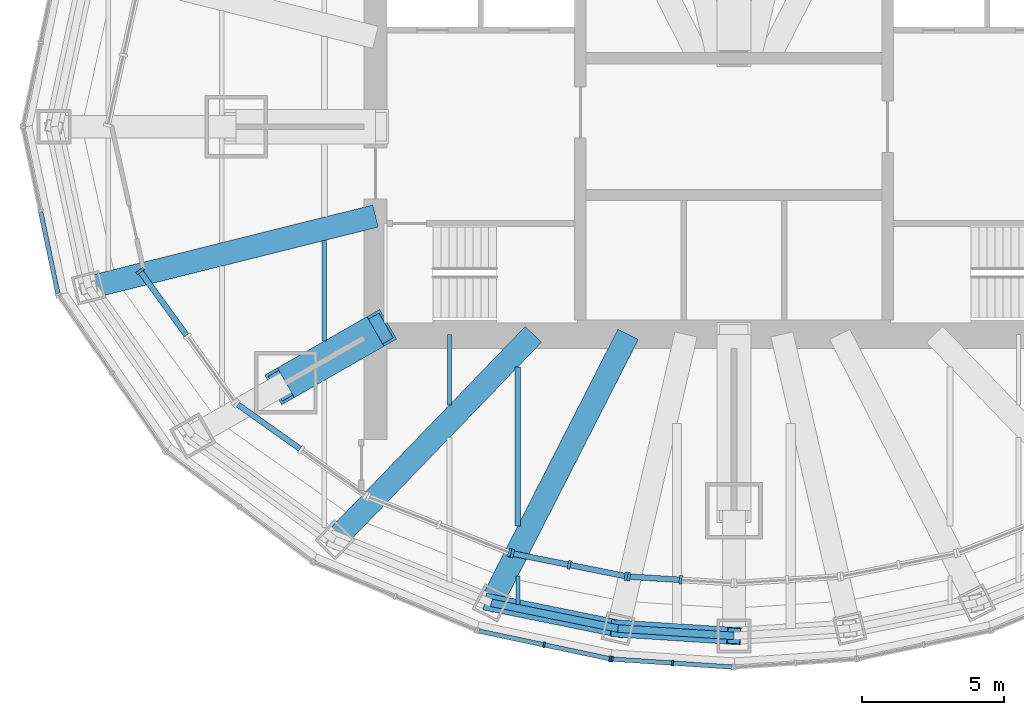
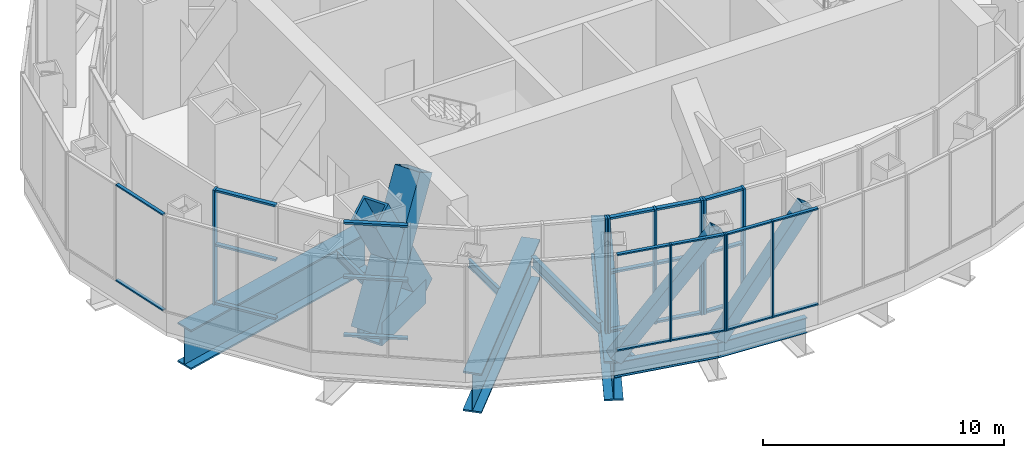
# One storey, part 3 of 21: 40 members, 10 beams, 8 elements without a shape of their own.
"""IFC4 building model written with IfcOpenShell, lengths in metres."""

from ifc_helpers import new_model, si_unit, direction, frame, origin, origin_2d, place, context, subcontext, project, spatial, rectangle, hollow_rectangle, i_section, extrude, material, material_profile, profile_set, type_object, element, aggregate, save


model = new_model("IFC4")

# Units and contexts
model_context = context("Model", 3, precision=1e-05, world=origin(), true_north=direction((0.0, 1.0)))
body_context = subcontext(model_context, "Body", "Model", "MODEL_VIEW")
ifc_project = project(units=[si_unit("LENGTHUNIT", "METRE"), si_unit("AREAUNIT", "SQUARE_METRE"), si_unit("VOLUMEUNIT", "CUBIC_METRE"), si_unit("PLANEANGLEUNIT", "RADIAN"), si_unit("MASSUNIT", "GRAM", prefix="KILO")], contexts=[model_context])

# Site, building, storey
site_placement = place(None, origin())
site = spatial("IfcSite", under=ifc_project, at=site_placement, CompositionType="ELEMENT")
building_placement = place(site_placement, origin())
building = spatial("IfcBuilding", under=site, at=building_placement, Name="Lantaw Convention Tower", CompositionType="ELEMENT")
storey_placement = place(building_placement, frame((0.0, 0.0, 284.39990234375)))
storey = spatial("IfcBuildingStorey", under=building, at=storey_placement, Name="L66", CompositionType="ELEMENT", Elevation=284.39990234375)

# Beams
ifc_material_1 = material(Name="Steel ASTM A992", Category="steel")
ifc_material_profile_1 = material_profile(ifc_material_1, i_section(OverallWidth=0.2666015625, OverallDepth=0.76953125, WebThickness=0.015625, FlangeThickness=0.025390625, FilletRadius=0.0126953125, at=origin_2d()), Name="W30X132")
ifc_profile_set_1 = profile_set([ifc_material_profile_1], Name="Steel ASTM A992")
beam_type_1 = type_object("IfcBeamType", Name="Beam E W30X132", PredefinedType="SPANDREL", material=ifc_profile_set_1)
beam_1_placement = place(storey_placement, frame((-8.5283203125, -16.73779296875, -0.584716796875), z_axis=(0.980006466425, -0.198965639657, 0.0), x_axis=(0.198965639657, 0.980006466425, 0.0)))
element("IfcBeam", 1, at=beam_1_placement, inside=storey, type_object=beam_type_1, Name="Edge beam 17", PredefinedType="SPANDREL", context=body_context, shape_type="SweptSolid", body=[
    extrude(i_section(OverallWidth=0.2666015625, OverallDepth=0.76953125, WebThickness=0.015625, FlangeThickness=0.025390625, FilletRadius=0.0126953125, at=origin_2d()), origin(), (0.0, 0.0, 1.0), 4.546142578125),
])
beam_2_placement = place(storey_placement, frame((-4.072998046875, -17.642333984375, -0.584716796875), z_axis=(0.998006453216, -0.063111958769, 0.0), x_axis=(0.063111958769, 0.998006453216, 0.0)))
element("IfcBeam", 2, at=beam_2_placement, inside=storey, type_object=beam_type_1, Name="Edge beam 18", PredefinedType="SPANDREL", context=body_context, shape_type="SweptSolid", body=[
    extrude(i_section(OverallWidth=0.2666015625, OverallDepth=0.76953125, WebThickness=0.015625, FlangeThickness=0.025390625, FilletRadius=0.0126953125, at=origin_2d()), origin(), (0.0, 0.0, 1.0), 4.0810546875),
])
ifc_material_2 = material(Name="Steel ASTM A572 Grade 50", Category="steel")
ifc_material_profile_2 = material_profile(ifc_material_2, i_section(OverallWidth=0.800048828125, OverallDepth=2.0, WebThickness=0.030029296875, FlangeThickness=0.080078125, at=origin_2d()), Name="PG2000X800X30X80")
ifc_profile_set_2 = profile_set([ifc_material_profile_2], Name="Steel ASTM A572 Grade 50")
beam_type_2 = type_object("IfcBeamType", Name="Beam HG PG2000X800X30X80", PredefinedType="BEAM", material=ifc_profile_set_2)
beam_3_placement = place(storey_placement, frame((-12.60009765625, -3.1416015625, -1.199951171875), z_axis=(-0.97029702597, -0.241916682751, 0.0), x_axis=(0.241916682751, -0.97029702597, 0.0)))
element("IfcBeam", 3, at=beam_3_placement, inside=storey, type_object=beam_type_2, Name="Floor girder on ray 14", PredefinedType="BEAM", context=body_context, shape_type="SweptSolid", body=[
    extrude(i_section(OverallWidth=0.800048828125, OverallDepth=2.0, WebThickness=0.030029296875, FlangeThickness=0.080078125, at=origin_2d()), origin(), (0.0, 0.0, 1.0), 10.395751953125),
])
beam_4_placement = place(storey_placement, frame((-7.049560546875, -7.300048828125, -1.199951171875), z_axis=(-0.694652631285, -0.71934534255, 0.0), x_axis=(0.71934534255, -0.694652631285, 0.0)))
element("IfcBeam", 4, at=beam_4_placement, inside=storey, type_object=beam_type_2, Name="Floor girder on ray 16", PredefinedType="BEAM", context=body_context, shape_type="SweptSolid", body=[
    extrude(i_section(OverallWidth=0.800048828125, OverallDepth=2.0, WebThickness=0.030029296875, FlangeThickness=0.080078125, at=origin_2d()), origin(), (0.0, 0.0, 1.0), 10.04541015625),
])
beam_5_placement = place(storey_placement, frame((-3.719482421875, -7.300048828125, -1.199951171875), z_axis=(-0.453995526284, -0.891003963018, 0.0), x_axis=(0.891003963018, -0.453995526284, 0.0)))
element("IfcBeam", 5, at=beam_5_placement, inside=storey, type_object=beam_type_2, Name="Floor girder on ray 17", PredefinedType="BEAM", context=body_context, shape_type="SweptSolid", body=[
    extrude(i_section(OverallWidth=0.800048828125, OverallDepth=2.0, WebThickness=0.030029296875, FlangeThickness=0.080078125, at=origin_2d()), origin(), (0.0, 0.0, 1.0), 10.59228515625),
])
ifc_material_profile_3 = material_profile(ifc_material_1, i_section(OverallWidth=0.140380859375, OverallDepth=0.40380859375, WebThickness=0.007080078125, FlangeThickness=0.01123046875, FilletRadius=0.01025390625, at=origin_2d()), Name="W16X31")
ifc_profile_set_3 = profile_set([ifc_material_profile_3], Name="Steel ASTM A992")
beam_type_3 = type_object("IfcBeamType", Name="Beam J W16X31", PredefinedType="JOIST", material=ifc_profile_set_3)
beam_6_placement = place(storey_placement, frame((-10.0, -9.779541015625, -0.40185546875), z_axis=(0.0, 1.0, 0.0), x_axis=(-1.0, 0.0, 0.0)))
element("IfcBeam", 6, at=beam_6_placement, inside=storey, type_object=beam_type_3, Name="Floor joist", PredefinedType="JOIST", context=body_context, shape_type="SweptSolid", body=[
    extrude(i_section(OverallWidth=0.140380859375, OverallDepth=0.40380859375, WebThickness=0.007080078125, FlangeThickness=0.01123046875, FilletRadius=0.01025390625, at=origin_2d()), origin(), (0.0, 0.0, 1.0), 2.4794921875),
])
beam_7_placement = place(storey_placement, frame((-7.60009765625, -16.790283203125, -0.40185546875), z_axis=(0.0, 1.0, 0.0), x_axis=(-1.0, 0.0, 0.0)))
element("IfcBeam", 7, at=beam_7_placement, inside=storey, type_object=beam_type_3, Name="Floor joist", PredefinedType="JOIST", context=body_context, shape_type="SweptSolid", body=[
    extrude(i_section(OverallWidth=0.140380859375, OverallDepth=0.40380859375, WebThickness=0.007080078125, FlangeThickness=0.01123046875, FilletRadius=0.01025390625, at=origin_2d()), origin(), (0.0, 0.0, 1.0), 0.993408203125),
])
ifc_material_profile_4 = material_profile(ifc_material_1, i_section(OverallWidth=0.15234375, OverallDepth=0.449462890625, WebThickness=0.007568359375, FlangeThickness=0.0107421875, FilletRadius=0.01025390625, at=origin_2d()), Name="W18X35")
ifc_profile_set_4 = profile_set([ifc_material_profile_4], Name="Steel ASTM A992")
beam_type_4 = type_object("IfcBeamType", Name="Beam J W18X35", PredefinedType="JOIST", material=ifc_profile_set_4)
beam_8_placement = place(storey_placement, frame((-14.39990234375, -7.53759765625, -0.4248046875), z_axis=(0.0, 1.0, 0.0), x_axis=(-1.0, 0.0, 0.0)))
element("IfcBeam", 8, at=beam_8_placement, inside=storey, type_object=beam_type_4, Name="Floor joist", PredefinedType="JOIST", context=body_context, shape_type="SweptSolid", body=[
    extrude(i_section(OverallWidth=0.15234375, OverallDepth=0.449462890625, WebThickness=0.007568359375, FlangeThickness=0.0107421875, FilletRadius=0.01025390625, at=origin_2d()), origin(), (0.0, 0.0, 1.0), 3.534912109375),
])
ifc_material_profile_5 = material_profile(ifc_material_1, i_section(OverallWidth=0.209228515625, OverallDepth=0.533447265625, WebThickness=0.01025390625, FlangeThickness=0.015625, FilletRadius=0.012939453125, at=origin_2d()), Name="W21X62")
ifc_profile_set_5 = profile_set([ifc_material_profile_5], Name="Steel ASTM A992")
beam_type_5 = type_object("IfcBeamType", Name="Beam J W21X62", PredefinedType="JOIST", material=ifc_profile_set_5)
beam_9_placement = place(storey_placement, frame((-7.60009765625, -14.03466796875, -0.466552734375), z_axis=(0.0, 1.0, 0.0), x_axis=(-1.0, 0.0, 0.0)))
element("IfcBeam", 9, at=beam_9_placement, inside=storey, type_object=beam_type_5, Name="Floor joist", PredefinedType="JOIST", context=body_context, shape_type="SweptSolid", body=[
    extrude(i_section(OverallWidth=0.209228515625, OverallDepth=0.533447265625, WebThickness=0.01025390625, FlangeThickness=0.015625, FilletRadius=0.012939453125, at=origin_2d()), origin(), (0.0, 0.0, 1.0), 5.5888671875),
])
ifc_material_3 = material(Name="Steel EN 10025-3 S460N", Category="steel")
ifc_material_profile_6 = material_profile(ifc_material_3, hollow_rectangle(XDim=1.199951171875, YDim=1.199951171875, WallThickness=0.10009765625, at=origin_2d()), Name="BOX1200X100")
ifc_profile_set_6 = profile_set([ifc_material_profile_6], Name="Steel EN 10025-3 S460N")
beam_type_6 = type_object("IfcBeamType", Name="Beam OC BOX1200X100", PredefinedType="BEAM", material=ifc_profile_set_6)
beam_10_placement = place(storey_placement, frame((-12.60009765625, -7.199951171875, -0.7998046875), z_axis=(-0.868230718294, -0.496160679428, 0.0), x_axis=(0.496160679428, -0.868230718294, 0.0)))
element("IfcBeam", 10, at=beam_10_placement, inside=storey, type_object=beam_type_6, Name="Outrigger chord on ray 15", PredefinedType="BEAM", context=body_context, shape_type="SweptSolid", body=[
    extrude(hollow_rectangle(XDim=1.199951171875, YDim=1.199951171875, WallThickness=0.10009765625, at=origin_2d()), origin(), (0.0, 0.0, 1.0), 3.6279296875),
])

# Curtain wall, members
ifc_material_4 = material(Name="Aluminium framed curtain wall", Category="aluminium")
curtain_wall_type_1 = type_object("IfcCurtainWallType", Name="Lantern corner louvre curtain wall, pale aluminium", PredefinedType="USERDEFINED", material=ifc_material_4)
curtain_wall_1_placement = place(storey_placement, origin())
curtain_wall_1 = element("IfcCurtainWall", 11, at=curtain_wall_1_placement, inside=storey, type_object=curtain_wall_type_1, Name="Lantern corner louvre curtain wall, pale aluminium L66", ObjectType="LOUVRE WALL", PredefinedType="USERDEFINED")
ifc_material_5 = material(Name="Aluminium 6063-T6", Category="aluminium")
ifc_material_profile_7 = material_profile(ifc_material_5, rectangle(XDim=0.199951171875, YDim=0.10009765625, at=origin_2d()), Name="CW-LC transom 100x200")
ifc_profile_set_7 = profile_set([ifc_material_profile_7], Name="Aluminium 6063-T6")
member_type_1 = type_object("IfcMemberType", Name="CW-LC transom 100x200", PredefinedType="USERDEFINED", material=ifc_profile_set_7)
member_1_placement = place(storey_placement, frame((-17.43701171875, -9.77197265625, 0.050048828125), z_axis=(0.814809043546, -0.579729439098, 0.0), x_axis=(0.579729439098, 0.814809043546, 0.0)))
member_1 = element("IfcMember", 12, at=member_1_placement, type_object=member_type_1, Name="CW-LC transom 1.1", ObjectType="TRANSOM", PredefinedType="USERDEFINED", context=body_context, shape_type="SweptSolid", body=[
    extrude(rectangle(XDim=0.199951171875, YDim=0.10009765625, at=origin_2d()), origin(), (0.0, 0.0, 1.0), 2.680419921875),
])
member_2_placement = place(storey_placement, frame((-17.43701171875, -9.77197265625, 3.0), z_axis=(0.814809043546, -0.579729439098, 0.0), x_axis=(0.579729439098, 0.814809043546, 0.0)))
member_2 = element("IfcMember", 13, at=member_2_placement, type_object=member_type_1, Name="CW-LC transom 1.2", ObjectType="TRANSOM", PredefinedType="USERDEFINED", context=body_context, shape_type="SweptSolid", body=[
    extrude(rectangle(XDim=0.199951171875, YDim=0.10009765625, at=origin_2d()), origin(), (0.0, 0.0, 1.0), 2.680419921875),
])
member_3_placement = place(storey_placement, frame((-17.43701171875, -9.77197265625, 5.75), z_axis=(0.814809043546, -0.579729439098, 0.0), x_axis=(0.579729439098, 0.814809043546, 0.0)))
member_3 = element("IfcMember", 14, at=member_3_placement, type_object=member_type_1, Name="CW-LC transom 1.3", ObjectType="TRANSOM", PredefinedType="USERDEFINED", context=body_context, shape_type="SweptSolid", body=[
    extrude(rectangle(XDim=0.199951171875, YDim=0.10009765625, at=origin_2d()), origin(), (0.0, 0.0, 1.0), 2.680419921875),
])
aggregate(curtain_wall_1, [member_1, member_2, member_3])

# Curtain wall, member
curtain_wall_type_2 = type_object("IfcCurtainWallType", Name="LANTERN glazing curtain wall, pale aluminium", PredefinedType="USERDEFINED", material=ifc_material_4)
curtain_wall_2_placement = place(storey_placement, origin())
curtain_wall_2 = element("IfcCurtainWall", 15, at=curtain_wall_2_placement, inside=storey, type_object=curtain_wall_type_2, Name="LANTERN glazing curtain wall, pale aluminium L66", ObjectType="LANTERN GLAZING", PredefinedType="USERDEFINED")
ifc_material_profile_8 = material_profile(ifc_material_5, rectangle(XDim=0.300048828125, YDim=0.10009765625, at=origin_2d()), Name="CW-LN mullion 100x300")
ifc_profile_set_8 = profile_set([ifc_material_profile_8], Name="Aluminium 6063-T6")
member_type_2 = type_object("IfcMemberType", Name="CW-LN mullion 100x300", PredefinedType="MULLION", material=ifc_profile_set_8)
member_4_placement = place(storey_placement, frame((-20.87939453125, -5.076171875, 0.0), z_axis=(0.0, 0.0, 1.0), x_axis=(0.809741800193, 0.586786346995, 0.0)))
member_4 = element("IfcMember", 16, at=member_4_placement, type_object=member_type_2, Name="CW-LN mullion 1", PredefinedType="MULLION", context=body_context, shape_type="SweptSolid", body=[
    extrude(rectangle(XDim=0.300048828125, YDim=0.10009765625, at=origin_2d()), origin(), (0.0, 0.0, 1.0), 5.800048828125),
])

curtain_wall_3_placement = place(storey_placement, origin())
curtain_wall_3 = element("IfcCurtainWall", 17, at=curtain_wall_3_placement, inside=storey, type_object=curtain_wall_type_2, Name="LANTERN glazing curtain wall, pale aluminium L66", ObjectType="LANTERN GLAZING", PredefinedType="USERDEFINED")
member_5_placement = place(storey_placement, frame((-7.883056640625, -14.97607421875, 0.0), z_axis=(0.0, 0.0, 1.0), x_axis=(0.366801957358, 0.930299050885, 0.0)))
member_5 = element("IfcMember", 18, at=member_5_placement, type_object=member_type_2, Name="CW-LN mullion 3", PredefinedType="MULLION", context=body_context, shape_type="SweptSolid", body=[
    extrude(rectangle(XDim=0.300048828125, YDim=0.10009765625, at=origin_2d()), origin(), (0.0, 0.0, 1.0), 5.800048828125),
])
aggregate(curtain_wall_3, [member_5])

# Curtain wall, members
curtain_wall_4_placement = place(storey_placement, origin())
curtain_wall_4 = element("IfcCurtainWall", 19, at=curtain_wall_4_placement, inside=storey, type_object=curtain_wall_type_2, Name="LANTERN glazing curtain wall, pale aluminium L66", ObjectType="LANTERN GLAZING", PredefinedType="USERDEFINED")
member_6_placement = place(storey_placement, frame((-7.787353515625, -15.004150390625, 0.0), z_axis=(0.0, 0.0, 1.0), x_axis=(0.196367228305, 0.980530423622, 0.0)))
member_6 = element("IfcMember", 20, at=member_6_placement, type_object=member_type_2, Name="CW-LN mullion 1", PredefinedType="MULLION", context=body_context, shape_type="SweptSolid", body=[
    extrude(rectangle(XDim=0.300048828125, YDim=0.10009765625, at=origin_2d()), origin(), (0.0, 0.0, 1.0), 5.800048828125),
])
member_7_placement = place(storey_placement, frame((-5.791015625, -15.404052734375, 0.0), z_axis=(0.0, 0.0, 1.0), x_axis=(0.196367228305, 0.980530423622, 0.0)))
member_7 = element("IfcMember", 21, at=member_7_placement, type_object=member_type_2, Name="CW-LN mullion 2", PredefinedType="MULLION", context=body_context, shape_type="SweptSolid", body=[
    extrude(rectangle(XDim=0.300048828125, YDim=0.10009765625, at=origin_2d()), origin(), (0.0, 0.0, 1.0), 5.800048828125),
])
member_8_placement = place(storey_placement, frame((-3.79443359375, -15.8037109375, 0.0), z_axis=(0.0, 0.0, 1.0), x_axis=(0.196367228305, 0.980530423622, 0.0)))
member_8 = element("IfcMember", 22, at=member_8_placement, type_object=member_type_2, Name="CW-LN mullion 3", PredefinedType="MULLION", context=body_context, shape_type="SweptSolid", body=[
    extrude(rectangle(XDim=0.300048828125, YDim=0.10009765625, at=origin_2d()), origin(), (0.0, 0.0, 1.0), 5.800048828125),
])

curtain_wall_5_placement = place(storey_placement, origin())
curtain_wall_5 = element("IfcCurtainWall", 23, at=curtain_wall_5_placement, inside=storey, type_object=curtain_wall_type_2, Name="LANTERN glazing curtain wall, pale aluminium L66", ObjectType="LANTERN GLAZING", PredefinedType="USERDEFINED")
member_9_placement = place(storey_placement, frame((-3.6953125, -15.816650390625, 0.0), z_axis=(0.0, 0.0, 1.0), x_axis=(0.062488626454, 0.998045676091, 0.0)))
member_9 = element("IfcMember", 24, at=member_9_placement, type_object=member_type_2, Name="CW-LN mullion 1", PredefinedType="MULLION", context=body_context, shape_type="SweptSolid", body=[
    extrude(rectangle(XDim=0.300048828125, YDim=0.10009765625, at=origin_2d()), origin(), (0.0, 0.0, 1.0), 5.800048828125),
])
member_10_placement = place(storey_placement, frame((-1.87255859375, -15.930908203125, 0.0), z_axis=(0.0, 0.0, 1.0), x_axis=(0.062488626454, 0.998045676091, 0.0)))
member_10 = element("IfcMember", 25, at=member_10_placement, type_object=member_type_2, Name="CW-LN mullion 2", PredefinedType="MULLION", context=body_context, shape_type="SweptSolid", body=[
    extrude(rectangle(XDim=0.300048828125, YDim=0.10009765625, at=origin_2d()), origin(), (0.0, 0.0, 1.0), 5.800048828125),
])

# Member
ifc_material_profile_9 = material_profile(ifc_material_5, rectangle(XDim=0.199951171875, YDim=0.10009765625, at=origin_2d()), Name="CW-LN transom 100x200")
ifc_profile_set_9 = profile_set([ifc_material_profile_9], Name="Aluminium 6063-T6")
member_type_3 = type_object("IfcMemberType", Name="CW-LN transom 100x200", PredefinedType="USERDEFINED", material=ifc_profile_set_9)
member_11_placement = place(storey_placement, frame((-20.85009765625, -5.11669921875, 0.050048828125), z_axis=(0.586798118951, -0.809733269414, 0.0), x_axis=(0.809733269414, 0.586798118951, 0.0)))
member_11 = element("IfcMember", 26, at=member_11_placement, type_object=member_type_3, Name="CW-LN transom 1.1", ObjectType="TRANSOM", PredefinedType="USERDEFINED", context=body_context, shape_type="SweptSolid", body=[
    extrude(rectangle(XDim=0.199951171875, YDim=0.10009765625, at=origin_2d()), origin(), (0.0, 0.0, 1.0), 2.739013671875),
])

member_12_placement = place(storey_placement, frame((-20.85009765625, -5.11669921875, 3.0), z_axis=(0.586798118951, -0.809733269414, 0.0), x_axis=(0.809733269414, 0.586798118951, 0.0)))
member_12 = element("IfcMember", 27, at=member_12_placement, type_object=member_type_3, Name="CW-LN transom 1.2", ObjectType="TRANSOM", PredefinedType="USERDEFINED", context=body_context, shape_type="SweptSolid", body=[
    extrude(rectangle(XDim=0.199951171875, YDim=0.10009765625, at=origin_2d()), origin(), (0.0, 0.0, 1.0), 2.739013671875),
])

member_13_placement = place(storey_placement, frame((-20.85009765625, -5.11669921875, 5.75), z_axis=(0.586798118951, -0.809733269414, 0.0), x_axis=(0.809733269414, 0.586798118951, 0.0)))
member_13 = element("IfcMember", 28, at=member_13_placement, type_object=member_type_3, Name="CW-LN transom 1.3", ObjectType="TRANSOM", PredefinedType="USERDEFINED", context=body_context, shape_type="SweptSolid", body=[
    extrude(rectangle(XDim=0.199951171875, YDim=0.10009765625, at=origin_2d()), origin(), (0.0, 0.0, 1.0), 2.739013671875),
])

aggregate(curtain_wall_2, [member_4, member_11, member_12, member_13])

member_14_placement = place(storey_placement, frame((-7.738525390625, -15.013916015625, 0.050048828125), z_axis=(0.980541861959, -0.196310104034, 0.0), x_axis=(0.196310104034, 0.980541861959, 0.0)))
member_14 = element("IfcMember", 29, at=member_14_placement, type_object=member_type_3, Name="CW-LN transom 1.1", ObjectType="TRANSOM", PredefinedType="USERDEFINED", context=body_context, shape_type="SweptSolid", body=[
    extrude(rectangle(XDim=0.199951171875, YDim=0.10009765625, at=origin_2d()), origin(), (0.0, 0.0, 1.0), 1.936279296875),
])

member_15_placement = place(storey_placement, frame((-7.738525390625, -15.013916015625, 3.0), z_axis=(0.980541861959, -0.196310104034, 0.0), x_axis=(0.196310104034, 0.980541861959, 0.0)))
member_15 = element("IfcMember", 30, at=member_15_placement, type_object=member_type_3, Name="CW-LN transom 1.2", ObjectType="TRANSOM", PredefinedType="USERDEFINED", context=body_context, shape_type="SweptSolid", body=[
    extrude(rectangle(XDim=0.199951171875, YDim=0.10009765625, at=origin_2d()), origin(), (0.0, 0.0, 1.0), 1.936279296875),
])

member_16_placement = place(storey_placement, frame((-7.738525390625, -15.013916015625, 5.75), z_axis=(0.980541861959, -0.196310104034, 0.0), x_axis=(0.196310104034, 0.980541861959, 0.0)))
member_16 = element("IfcMember", 31, at=member_16_placement, type_object=member_type_3, Name="CW-LN transom 1.3", ObjectType="TRANSOM", PredefinedType="USERDEFINED", context=body_context, shape_type="SweptSolid", body=[
    extrude(rectangle(XDim=0.199951171875, YDim=0.10009765625, at=origin_2d()), origin(), (0.0, 0.0, 1.0), 1.936279296875),
])

member_17_placement = place(storey_placement, frame((-5.741943359375, -15.413818359375, 0.050048828125), z_axis=(0.980541861959, -0.196310104034, 0.0), x_axis=(0.196310104034, 0.980541861959, 0.0)))
member_17 = element("IfcMember", 32, at=member_17_placement, type_object=member_type_3, Name="CW-LN transom 2.1", ObjectType="TRANSOM", PredefinedType="USERDEFINED", context=body_context, shape_type="SweptSolid", body=[
    extrude(rectangle(XDim=0.199951171875, YDim=0.10009765625, at=origin_2d()), origin(), (0.0, 0.0, 1.0), 1.936279296875),
])

member_18_placement = place(storey_placement, frame((-5.741943359375, -15.413818359375, 3.0), z_axis=(0.980541861959, -0.196310104034, 0.0), x_axis=(0.196310104034, 0.980541861959, 0.0)))
member_18 = element("IfcMember", 33, at=member_18_placement, type_object=member_type_3, Name="CW-LN transom 2.2", ObjectType="TRANSOM", PredefinedType="USERDEFINED", context=body_context, shape_type="SweptSolid", body=[
    extrude(rectangle(XDim=0.199951171875, YDim=0.10009765625, at=origin_2d()), origin(), (0.0, 0.0, 1.0), 1.936279296875),
])

member_19_placement = place(storey_placement, frame((-5.741943359375, -15.413818359375, 5.75), z_axis=(0.980541861959, -0.196310104034, 0.0), x_axis=(0.196310104034, 0.980541861959, 0.0)))
member_19 = element("IfcMember", 34, at=member_19_placement, type_object=member_type_3, Name="CW-LN transom 2.3", ObjectType="TRANSOM", PredefinedType="USERDEFINED", context=body_context, shape_type="SweptSolid", body=[
    extrude(rectangle(XDim=0.199951171875, YDim=0.10009765625, at=origin_2d()), origin(), (0.0, 0.0, 1.0), 1.936279296875),
])

aggregate(curtain_wall_4, [member_6, member_7, member_8, member_14, member_15, member_16, member_17, member_18, member_19])

member_20_placement = place(storey_placement, frame((-3.6455078125, -15.81982421875, 0.050048828125), z_axis=(0.9980443153, -0.062510356719, 0.0), x_axis=(0.062510356719, 0.9980443153, 0.0)))
member_20 = element("IfcMember", 35, at=member_20_placement, type_object=member_type_3, Name="CW-LN transom 1.1", ObjectType="TRANSOM", PredefinedType="USERDEFINED", context=body_context, shape_type="SweptSolid", body=[
    extrude(rectangle(XDim=0.199951171875, YDim=0.10009765625, at=origin_2d()), origin(), (0.0, 0.0, 1.0), 1.726318359375),
])

member_21_placement = place(storey_placement, frame((-3.6455078125, -15.81982421875, 3.0), z_axis=(0.9980443153, -0.062510356719, 0.0), x_axis=(0.062510356719, 0.9980443153, 0.0)))
member_21 = element("IfcMember", 36, at=member_21_placement, type_object=member_type_3, Name="CW-LN transom 1.2", ObjectType="TRANSOM", PredefinedType="USERDEFINED", context=body_context, shape_type="SweptSolid", body=[
    extrude(rectangle(XDim=0.199951171875, YDim=0.10009765625, at=origin_2d()), origin(), (0.0, 0.0, 1.0), 1.726318359375),
])

member_22_placement = place(storey_placement, frame((-3.6455078125, -15.81982421875, 5.75), z_axis=(0.9980443153, -0.062510356719, 0.0), x_axis=(0.062510356719, 0.9980443153, 0.0)))
member_22 = element("IfcMember", 37, at=member_22_placement, type_object=member_type_3, Name="CW-LN transom 1.3", ObjectType="TRANSOM", PredefinedType="USERDEFINED", context=body_context, shape_type="SweptSolid", body=[
    extrude(rectangle(XDim=0.199951171875, YDim=0.10009765625, at=origin_2d()), origin(), (0.0, 0.0, 1.0), 1.726318359375),
])

aggregate(curtain_wall_5, [member_9, member_10, member_20, member_21, member_22])

# Curtain wall, members
curtain_wall_type_3 = type_object("IfcCurtainWallType", Name="Plant floor louvre wall, pale aluminium", PredefinedType="USERDEFINED", material=ifc_material_4)
curtain_wall_6_placement = place(storey_placement, origin())
curtain_wall_6 = element("IfcCurtainWall", 38, at=curtain_wall_6_placement, inside=storey, type_object=curtain_wall_type_3, Name="Plant floor louvre wall, pale aluminium L66", ObjectType="LOUVRE WALL", PredefinedType="USERDEFINED")
ifc_material_profile_10 = material_profile(ifc_material_5, rectangle(XDim=0.199951171875, YDim=0.070068359375, at=origin_2d()), Name="CW-LV mullion 70x200")
ifc_profile_set_10 = profile_set([ifc_material_profile_10], Name="Aluminium 6063-T6")
member_type_4 = type_object("IfcMemberType", Name="CW-LV mullion 70x200", PredefinedType="MULLION", material=ifc_profile_set_10)
member_23_placement = place(storey_placement, frame((-6.674072265625, -18.216064453125, 1.10009765625), z_axis=(0.0, 0.0, 1.0), x_axis=(0.207039911975, 0.978332497083, 0.0)))
member_23 = element("IfcMember", 39, at=member_23_placement, type_object=member_type_4, Name="CW-LV mullion 2", PredefinedType="MULLION", context=body_context, shape_type="SweptSolid", body=[
    extrude(rectangle(XDim=0.199951171875, YDim=0.070068359375, at=origin_2d()), origin(), (0.0, 0.0, 1.0), 4.89990234375),
])
member_24_placement = place(storey_placement, frame((-4.354736328125, -18.706787109375, 1.10009765625), z_axis=(0.0, 0.0, 1.0), x_axis=(0.207039911975, 0.978332497083, 0.0)))
member_24 = element("IfcMember", 40, at=member_24_placement, type_object=member_type_4, Name="CW-LV mullion 3", PredefinedType="MULLION", context=body_context, shape_type="SweptSolid", body=[
    extrude(rectangle(XDim=0.199951171875, YDim=0.070068359375, at=origin_2d()), origin(), (0.0, 0.0, 1.0), 4.89990234375),
])

curtain_wall_7_placement = place(storey_placement, origin())
curtain_wall_7 = element("IfcCurtainWall", 41, at=curtain_wall_7_placement, inside=storey, type_object=curtain_wall_type_3, Name="Plant floor louvre wall, pale aluminium L66", ObjectType="LOUVRE WALL", PredefinedType="USERDEFINED")
member_25_placement = place(storey_placement, frame((-4.28564453125, -18.71630859375, 1.10009765625), z_axis=(0.0, 0.0, 1.0), x_axis=(0.066024902273, 0.997817975525, 0.0)))
member_25 = element("IfcMember", 42, at=member_25_placement, type_object=member_type_4, Name="CW-LV mullion 1", PredefinedType="MULLION", context=body_context, shape_type="SweptSolid", body=[
    extrude(rectangle(XDim=0.199951171875, YDim=0.070068359375, at=origin_2d()), origin(), (0.0, 0.0, 1.0), 4.89990234375),
])
member_26_placement = place(storey_placement, frame((-2.16015625, -18.857177734375, 1.10009765625), z_axis=(0.0, 0.0, 1.0), x_axis=(0.066024902273, 0.997817975525, 0.0)))
member_26 = element("IfcMember", 43, at=member_26_placement, type_object=member_type_4, Name="CW-LV mullion 2", PredefinedType="MULLION", context=body_context, shape_type="SweptSolid", body=[
    extrude(rectangle(XDim=0.199951171875, YDim=0.070068359375, at=origin_2d()), origin(), (0.0, 0.0, 1.0), 4.89990234375),
])

curtain_wall_8_placement = place(storey_placement, origin())
curtain_wall_8 = element("IfcCurtainWall", 44, at=curtain_wall_8_placement, inside=storey, type_object=curtain_wall_type_3, Name="Plant floor louvre wall, pale aluminium L66", ObjectType="LOUVRE WALL", PredefinedType="USERDEFINED")
ifc_material_profile_11 = material_profile(ifc_material_5, rectangle(XDim=0.159912109375, YDim=0.070068359375, at=origin_2d()), Name="CW-LV transom 70x160")
ifc_profile_set_11 = profile_set([ifc_material_profile_11], Name="Aluminium 6063-T6")
member_type_5 = type_object("IfcMemberType", Name="CW-LV transom 70x160", PredefinedType="USERDEFINED", material=ifc_profile_set_11)
member_27_placement = place(storey_placement, frame((-24.369873046875, -2.99560546875, 1.135009765625), z_axis=(0.205766173106, -0.978601186391, 0.0), x_axis=(0.978601186391, 0.205766173106, 0.0)))
member_27 = element("IfcMember", 45, at=member_27_placement, type_object=member_type_5, Name="CW-LV transom 2.1", ObjectType="TRANSOM", PredefinedType="USERDEFINED", context=body_context, shape_type="SweptSolid", body=[
    extrude(rectangle(XDim=0.159912109375, YDim=0.070068359375, at=origin_2d()), origin(), (0.0, 0.0, 1.0), 2.921142578125),
])
member_28_placement = place(storey_placement, frame((-24.369873046875, -2.99560546875, 5.965087890625), z_axis=(0.205766173106, -0.978601186391, 0.0), x_axis=(0.978601186391, 0.205766173106, 0.0)))
member_28 = element("IfcMember", 46, at=member_28_placement, type_object=member_type_5, Name="CW-LV transom 2.2", ObjectType="TRANSOM", PredefinedType="USERDEFINED", context=body_context, shape_type="SweptSolid", body=[
    extrude(rectangle(XDim=0.159912109375, YDim=0.070068359375, at=origin_2d()), origin(), (0.0, 0.0, 1.0), 2.921142578125),
])
aggregate(curtain_wall_8, [member_27, member_28])

# Member
member_29_placement = place(storey_placement, frame((-8.959228515625, -17.732421875, 1.135009765625), z_axis=(0.978336479598, -0.207021092375, 0.0), x_axis=(0.207021092375, 0.978336479598, 0.0)))
member_29 = element("IfcMember", 47, at=member_29_placement, type_object=member_type_5, Name="CW-LV transom 1.1", ObjectType="TRANSOM", PredefinedType="USERDEFINED", context=body_context, shape_type="SweptSolid", body=[
    extrude(rectangle(XDim=0.159912109375, YDim=0.070068359375, at=origin_2d()), origin(), (0.0, 0.0, 1.0), 2.30078125),
])

member_30_placement = place(storey_placement, frame((-8.959228515625, -17.732421875, 5.965087890625), z_axis=(0.978336479598, -0.207021092375, 0.0), x_axis=(0.207021092375, 0.978336479598, 0.0)))
member_30 = element("IfcMember", 48, at=member_30_placement, type_object=member_type_5, Name="CW-LV transom 1.2", ObjectType="TRANSOM", PredefinedType="USERDEFINED", context=body_context, shape_type="SweptSolid", body=[
    extrude(rectangle(XDim=0.159912109375, YDim=0.070068359375, at=origin_2d()), origin(), (0.0, 0.0, 1.0), 2.30078125),
])

member_31_placement = place(storey_placement, frame((-6.639892578125, -18.223388671875, 1.135009765625), z_axis=(0.978336479598, -0.207021092375, 0.0), x_axis=(0.207021092375, 0.978336479598, 0.0)))
member_31 = element("IfcMember", 49, at=member_31_placement, type_object=member_type_5, Name="CW-LV transom 2.1", ObjectType="TRANSOM", PredefinedType="USERDEFINED", context=body_context, shape_type="SweptSolid", body=[
    extrude(rectangle(XDim=0.159912109375, YDim=0.070068359375, at=origin_2d()), origin(), (0.0, 0.0, 1.0), 2.30078125),
])

member_32_placement = place(storey_placement, frame((-6.639892578125, -18.223388671875, 5.965087890625), z_axis=(0.978336479598, -0.207021092375, 0.0), x_axis=(0.207021092375, 0.978336479598, 0.0)))
member_32 = element("IfcMember", 50, at=member_32_placement, type_object=member_type_5, Name="CW-LV transom 2.2", ObjectType="TRANSOM", PredefinedType="USERDEFINED", context=body_context, shape_type="SweptSolid", body=[
    extrude(rectangle(XDim=0.159912109375, YDim=0.070068359375, at=origin_2d()), origin(), (0.0, 0.0, 1.0), 2.30078125),
])

aggregate(curtain_wall_6, [member_23, member_24, member_29, member_30, member_31, member_32])

member_33_placement = place(storey_placement, frame((-4.250732421875, -18.71875, 1.135009765625), z_axis=(0.997819110413, -0.066007748753, 0.0), x_axis=(0.066007748753, 0.997819110413, 0.0)))
member_33 = element("IfcMember", 51, at=member_33_placement, type_object=member_type_5, Name="CW-LV transom 1.1", ObjectType="TRANSOM", PredefinedType="USERDEFINED", context=body_context, shape_type="SweptSolid", body=[
    extrude(rectangle(XDim=0.159912109375, YDim=0.070068359375, at=origin_2d()), origin(), (0.0, 0.0, 1.0), 2.06005859375),
])

member_34_placement = place(storey_placement, frame((-4.250732421875, -18.71875, 5.965087890625), z_axis=(0.997819110413, -0.066007748753, 0.0), x_axis=(0.066007748753, 0.997819110413, 0.0)))
member_34 = element("IfcMember", 52, at=member_34_placement, type_object=member_type_5, Name="CW-LV transom 1.2", ObjectType="TRANSOM", PredefinedType="USERDEFINED", context=body_context, shape_type="SweptSolid", body=[
    extrude(rectangle(XDim=0.159912109375, YDim=0.070068359375, at=origin_2d()), origin(), (0.0, 0.0, 1.0), 2.06005859375),
])

member_35_placement = place(storey_placement, frame((-2.125244140625, -18.859375, 1.135009765625), z_axis=(0.997818593988, -0.066015554918, 0.0), x_axis=(0.066015554918, 0.997818593988, 0.0)))
member_35 = element("IfcMember", 53, at=member_35_placement, type_object=member_type_5, Name="CW-LV transom 2.1", ObjectType="TRANSOM", PredefinedType="USERDEFINED", context=body_context, shape_type="SweptSolid", body=[
    extrude(rectangle(XDim=0.159912109375, YDim=0.070068359375, at=origin_2d()), origin(), (0.0, 0.0, 1.0), 2.059814453125),
])

member_36_placement = place(storey_placement, frame((-2.125244140625, -18.859375, 5.965087890625), z_axis=(0.997818593988, -0.066015554918, 0.0), x_axis=(0.066015554918, 0.997818593988, 0.0)))
member_36 = element("IfcMember", 54, at=member_36_placement, type_object=member_type_5, Name="CW-LV transom 2.2", ObjectType="TRANSOM", PredefinedType="USERDEFINED", context=body_context, shape_type="SweptSolid", body=[
    extrude(rectangle(XDim=0.159912109375, YDim=0.070068359375, at=origin_2d()), origin(), (0.0, 0.0, 1.0), 2.059814453125),
])

aggregate(curtain_wall_7, [member_25, member_26, member_33, member_34, member_35, member_36])

# Members
ifc_material_profile_12 = material_profile(ifc_material_2, hollow_rectangle(XDim=0.60009765625, YDim=0.60009765625, WallThickness=0.031982421875, at=origin_2d()), Name="BOX600X32")
ifc_profile_set_12 = profile_set([ifc_material_profile_12], Name="Steel ASTM A572 Grade 50")
member_type_6 = type_object("IfcMemberType", Name="Member CR BOX600X32", PredefinedType="BRACE", material=ifc_profile_set_12)
member_37_placement = place(storey_placement, frame((-8.5283203125, -16.73779296875, -0.005859375), z_axis=(0.624371494169, -0.126762912263, 0.77077324898), x_axis=(0.198965639657, 0.980006466425, 0.0)))
element("IfcMember", 55, at=member_37_placement, inside=storey, type_object=member_type_6, Name="Crown ring truss diagonal 17", PredefinedType="BRACE", context=body_context, shape_type="SweptSolid", body=[
    extrude(hollow_rectangle(XDim=0.60009765625, YDim=0.60009765625, WallThickness=0.031982421875, at=origin_2d()), origin(), (0.0, 0.0, 1.0), 7.1357421875),
])
member_38_placement = place(storey_placement, frame((-4.072998046875, -17.642333984375, -0.005859375), z_axis=(0.594705015881, -0.037607971693, 0.80306387327), x_axis=(0.063111958769, 0.998006453216, 0.0)))
element("IfcMember", 56, at=member_38_placement, inside=storey, type_object=member_type_6, Name="Crown ring truss diagonal 18", PredefinedType="BRACE", context=body_context, shape_type="SweptSolid", body=[
    extrude(hollow_rectangle(XDim=0.60009765625, YDim=0.60009765625, WallThickness=0.031982421875, at=origin_2d()), origin(), (0.0, 0.0, 1.0), 6.848876953125),
])
ifc_material_profile_13 = material_profile(ifc_material_3, hollow_rectangle(XDim=1.199951171875, YDim=1.199951171875, WallThickness=0.10009765625, at=origin_2d()), Name="BOX1200X100")
ifc_profile_set_13 = profile_set([ifc_material_profile_13], Name="Steel EN 10025-3 S460N")
member_type_7 = type_object("IfcMemberType", Name="Member OT BOX1200X100", PredefinedType="BRACE", material=ifc_profile_set_13)
for number, where, z_axis, x_axis, name in (
    (57, (-12.60009765625, -7.199951171875, -0.7998046875), (-0.449243757312, -0.256725641192, 0.855728924175), (0.496160679428, -0.868230718294, 0.0), "Hat truss diagonal 15"),
    (58, (-12.60009765625, -7.199951171875, 5.2001953125), (-0.449243757312, -0.256725641192, -0.855728924175), (0.496160679428, -0.868230718294, 0.0), "Hat truss diagonal 15 (reverse)"),
):
    element("IfcMember", number, at=place(storey_placement, frame(where, z_axis=z_axis, x_axis=x_axis)), inside=storey, type_object=member_type_7, Name=name, PredefinedType="BRACE", context=body_context, shape_type="SweptSolid", body=[
        extrude(hollow_rectangle(XDim=1.199951171875, YDim=1.199951171875, WallThickness=0.10009765625, at=origin_2d()), origin(), (0.0, 0.0, 1.0), 7.011474609375),
    ])

save(model, "model.ifc")
